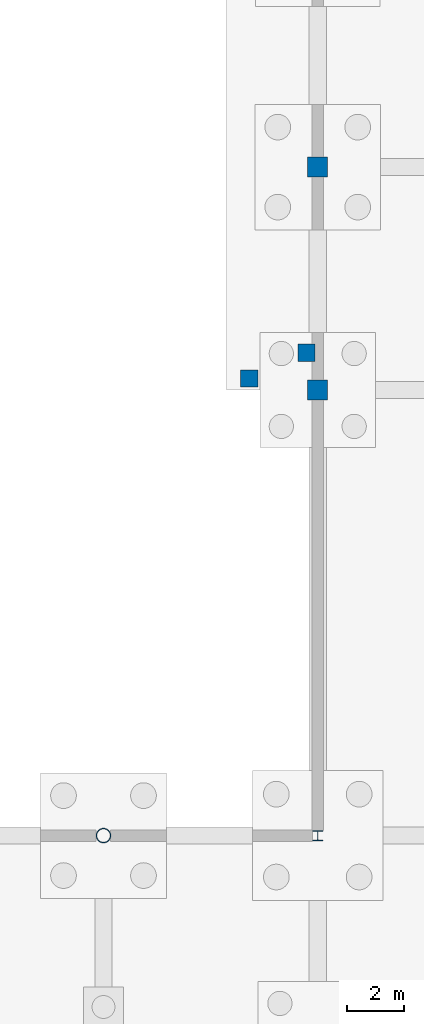
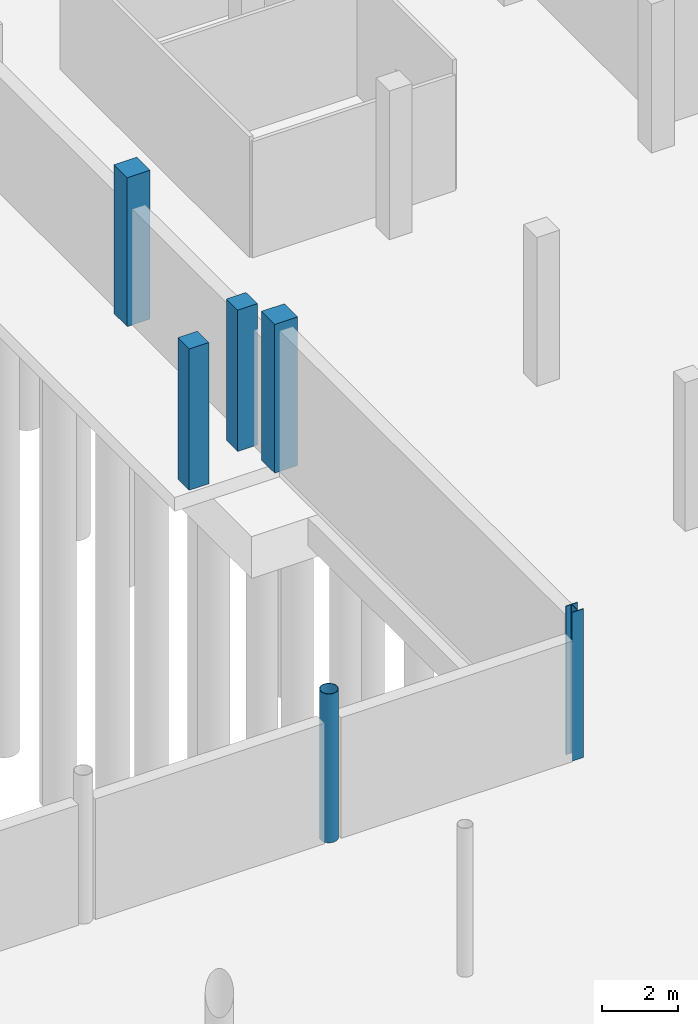
# One storey, part 17 of 44: 6 columns.
"""IFC4 building model written with IfcOpenShell, lengths in metres."""

from ifc_helpers import new_model, si_unit, direction, frame, origin, origin_2d, place, context, subcontext, project, spatial, rectangle, hollow_circle, i_section, extrude, material, material_profile, profile_set, type_object, element, save


model = new_model("IFC4")

# Units and contexts
model_context = context("Model", 3, precision=1e-05, world=origin(), true_north=direction((0.0, 1.0)))
body_context = subcontext(model_context, "Body", "Model", "MODEL_VIEW")
ifc_project = project(units=[si_unit("LENGTHUNIT", "METRE"), si_unit("AREAUNIT", "SQUARE_METRE"), si_unit("VOLUMEUNIT", "CUBIC_METRE"), si_unit("PLANEANGLEUNIT", "RADIAN"), si_unit("MASSUNIT", "GRAM", prefix="KILO")], contexts=[model_context])

# Site, building, storey
site_placement = place(None, origin())
site = spatial("IfcSite", under=ifc_project, at=site_placement, CompositionType="ELEMENT")
building_placement = place(site_placement, origin())
building = spatial("IfcBuilding", under=site, at=building_placement, Name="Yukiwa Park Conservatory and Herbarium", CompositionType="ELEMENT")
storey_placement = place(building_placement, frame((0.0, 0.0, -4.800048828125)))
storey = spatial("IfcBuildingStorey", under=building, at=storey_placement, Name="B1", CompositionType="ELEMENT", Elevation=-4.800048828125)

# Columns
ifc_material_1 = material(Name="Concrete C40", Category="concrete")
ifc_material_profile_1 = material_profile(ifc_material_1, rectangle(XDim=0.60009765625, YDim=0.60009765625, at=origin_2d()), Name="RC 600x600")
ifc_profile_set_1 = profile_set([ifc_material_profile_1], Name="Concrete C40")
column_type_1 = type_object("IfcColumnType", Name="COL-B1-RC600", PredefinedType="COLUMN", material=ifc_profile_set_1)
for number, where, z_axis, x_axis, name in (
    (1, (57.60009765625, 47.199951171875, 0.0), (0.0, 0.0, 1.0), (1.0, 0.0, 0.0), "Exterior frost apron pier 29"),
    (2, (59.60009765625, 48.10498046875, 0.0), (0.0, 0.0, 1.0), (1.0, 0.0, 0.0), "Exterior frost apron pier 30"),
):
    element("IfcColumn", number, at=place(storey_placement, frame(where, z_axis=z_axis, x_axis=x_axis)), inside=storey, type_object=column_type_1, Name=name, PredefinedType="COLUMN", context=body_context, shape_type="SweptSolid", body=[
        extrude(rectangle(XDim=0.60009765625, YDim=0.60009765625, at=origin_2d()), origin(), (0.0, 0.0, 1.0), 4.56005859375),
    ])
ifc_material_2 = material(Name="Concrete C50", Category="concrete")
ifc_material_profile_2 = material_profile(ifc_material_2, rectangle(XDim=0.699951171875, YDim=0.699951171875, at=origin_2d()), Name="RC 700x700")
ifc_profile_set_2 = profile_set([ifc_material_profile_2], Name="Concrete C50")
column_type_2 = type_object("IfcColumnType", Name="COL-B1-RC700", PredefinedType="COLUMN", material=ifc_profile_set_2)
for number, where, z_axis, x_axis, name in (
    (3, (60.0, 46.800048828125, 0.0), (0.0, 0.0, 1.0), (1.0, 0.0, 0.0), "B1 column V3-X600-Y468"),
    (4, (60.0, 54.60009765625, 0.0), (0.0, 0.0, 1.0), (1.0, 0.0, 0.0), "B1 column V3-X600-Y546"),
):
    element("IfcColumn", number, at=place(storey_placement, frame(where, z_axis=z_axis, x_axis=x_axis)), inside=storey, type_object=column_type_2, Name=name, PredefinedType="COLUMN", context=body_context, shape_type="SweptSolid", body=[
        extrude(rectangle(XDim=0.699951171875, YDim=0.699951171875, at=origin_2d()), origin(), (0.0, 0.0, 1.0), 4.800048828125),
    ])
ifc_material_3 = material(Name="Steel Q355D", Category="steel")
ifc_material_profile_3 = material_profile(ifc_material_3, hollow_circle(Radius=0.25390625, WallThickness=0.01611328125, at=origin_2d()), Name="CHS 508x16")
ifc_profile_set_3 = profile_set([ifc_material_profile_3], Name="Steel Q355D")
column_type_3 = type_object("IfcColumnType", Name="COL-CV-CHS508-INT", PredefinedType="COLUMN", material=ifc_profile_set_3)
column_1_placement = place(storey_placement, frame((52.5, 31.199951171875, 0.0), z_axis=(0.0, 0.0, 1.0), x_axis=(1.0, 0.0, 0.0)))
element("IfcColumn", 5, at=column_1_placement, inside=storey, type_object=column_type_3, Name="B1 column V1-X525-Y312", PredefinedType="COLUMN", context=body_context, shape_type="SweptSolid", body=[
    extrude(hollow_circle(Radius=0.25390625, WallThickness=0.01611328125, at=origin_2d()), origin(), (0.0, 0.0, 1.0), 4.800048828125),
])
ifc_material_4 = material(Name="Steel Q355D", Category="steel")
ifc_material_profile_4 = material_profile(ifc_material_4, i_section(OverallWidth=0.35009765625, OverallDepth=0.35009765625, WebThickness=0.011962890625, FlangeThickness=0.01904296875, FilletRadius=0.02001953125, at=origin_2d()), Name="HW 350x350x12x19")
ifc_profile_set_4 = profile_set([ifc_material_profile_4], Name="Steel Q355D")
column_type_4 = type_object("IfcColumnType", Name="COL-TW-HW350", PredefinedType="COLUMN", material=ifc_profile_set_4)
column_2_placement = place(storey_placement, frame((60.0, 31.199951171875, 0.0), z_axis=(0.0, 0.0, 1.0), x_axis=(1.0, 0.0, 0.0)))
element("IfcColumn", 6, at=column_2_placement, inside=storey, type_object=column_type_4, Name="B1 column V2-X600-Y312", PredefinedType="COLUMN", context=body_context, shape_type="SweptSolid", body=[
    extrude(i_section(OverallWidth=0.35009765625, OverallDepth=0.35009765625, WebThickness=0.011962890625, FlangeThickness=0.01904296875, FilletRadius=0.02001953125, at=origin_2d()), origin(), (0.0, 0.0, 1.0), 4.800048828125),
])

save(model, "model.ifc")
